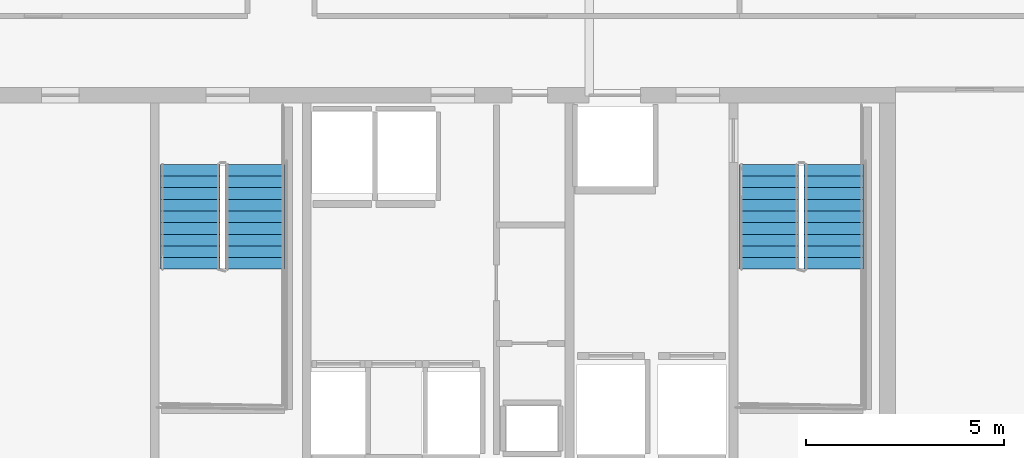
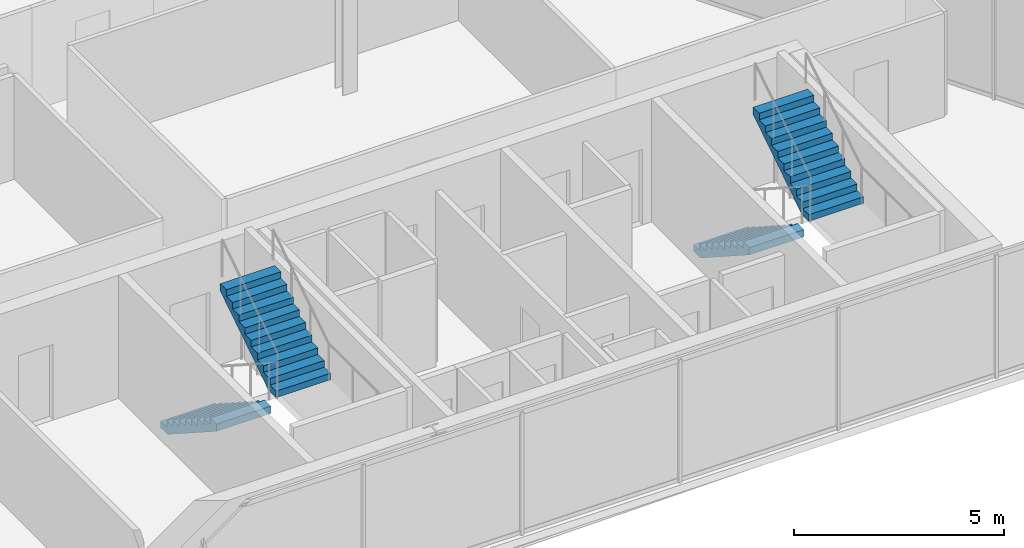
# One storey, part 26 of 29: 4 stair flights, 2 elements without a shape of their own.
"""IFC4 building model written with IfcOpenShell, lengths in metres."""

from ifc_helpers import new_model, si_unit, direction, frame, origin, place, context, subcontext, project, spatial, polyline, outline, extrude, material, type_object, element, aggregate, save


model = new_model("IFC4")

# Units and contexts
model_context = context("Model", 3, precision=1e-05, world=origin(), true_north=direction((0.0, 1.0)))
body_context = subcontext(model_context, "Body", "Model", "MODEL_VIEW")
ifc_project = project(units=[si_unit("LENGTHUNIT", "METRE"), si_unit("AREAUNIT", "SQUARE_METRE"), si_unit("VOLUMEUNIT", "CUBIC_METRE"), si_unit("PLANEANGLEUNIT", "RADIAN"), si_unit("MASSUNIT", "GRAM", prefix="KILO")], contexts=[model_context])

# Site, building, storey
site_placement = place(None, origin())
site = spatial("IfcSite", under=ifc_project, at=site_placement, CompositionType="ELEMENT")
building_placement = place(site_placement, origin())
building = spatial("IfcBuilding", under=site, at=building_placement, Name="Ndaravel Arena Tower", CompositionType="ELEMENT")
storey_placement = place(building_placement, frame((0.0, 0.0, 229.39990234375)))
storey = spatial("IfcBuildingStorey", under=building, at=storey_placement, Name="L55", CompositionType="ELEMENT", Elevation=229.39990234375)

# Stair, stair flights
ifc_material_1 = material(Name="Concrete C40/50", Category="concrete")
stair_type = type_object("IfcStairType", Name="STAIR-CORE-HT", PredefinedType="HALF_TURN_STAIR", material=ifc_material_1)
stair_1_placement = place(storey_placement, origin())
stair_1 = element("IfcStair", 1, at=stair_1_placement, inside=storey, type_object=stair_type, Name="L55 ST-2", PredefinedType="HALF_TURN_STAIR")
ifc_material_2 = material(Name="Concrete C40/50", Category="concrete")
stair_flight_type = type_object("IfcStairFlightType", Name="SFLIGHT-CORE-1680", PredefinedType="STRAIGHT", material=ifc_material_2)
stair_flight_1_placement = place(storey_placement, frame((39.699951171875, 13.25, 0.0), z_axis=(0.0, 0.0, 1.0), x_axis=(0.0, -1.0, 0.0)))
stair_flight_1 = element("IfcStairFlight", 2, at=stair_flight_1_placement, type_object=stair_flight_type, Name="ST-2 flight 1", NumberOfRisers=10, NumberOfTreads=9, PredefinedType="STRAIGHT", RiserHeight=0.19, TreadLength=0.295, context=body_context, shape_type="SweptSolid", body=[
    extrude(outline(polyline([(0.0, 0.0), (0.0, 0.18994140625), (0.294921875, 0.18994140625), (0.294921875, 0.3798828125), (0.590087890625, 0.3798828125), (0.590087890625, 0.570068359375), (0.885009765625, 0.570068359375), (0.885009765625, 0.760009765625), (1.179931640625, 0.760009765625), (1.179931640625, 0.949951171875), (1.47509765625, 0.949951171875), (1.47509765625, 1.139892578125), (1.77001953125, 1.139892578125), (1.77001953125, 1.330078125), (2.06494140625, 1.330078125), (2.06494140625, 1.52001953125), (2.360107421875, 1.52001953125), (2.360107421875, 1.7099609375), (2.655029296875, 1.7099609375), (2.655029296875, 1.89990234375), (2.655029296875, 1.49609375), (0.332275390625, 0.0), (0.0, 0.0)])), frame((0.0, 0.75, 0.0), z_axis=(0.0, -1.0, 0.0), x_axis=(1.0, 0.0, 0.0)), (0.0, 0.0, 1.0), 1.5),
])
stair_flight_2_placement = place(storey_placement, frame((41.340087890625, 10.594970703125, 1.900146484375), z_axis=(0.0, 0.0, 1.0), x_axis=(0.0, 1.0, 0.0)))
stair_flight_2 = element("IfcStairFlight", 3, at=stair_flight_2_placement, type_object=stair_flight_type, Name="ST-2 flight 2", NumberOfRisers=10, NumberOfTreads=9, PredefinedType="STRAIGHT", RiserHeight=0.19, TreadLength=0.295, context=body_context, shape_type="SweptSolid", body=[
    extrude(outline(polyline([(0.0, 0.0), (0.0, 0.18994140625), (0.294921875, 0.18994140625), (0.294921875, 0.3798828125), (0.590087890625, 0.3798828125), (0.590087890625, 0.570068359375), (0.885009765625, 0.570068359375), (0.885009765625, 0.760009765625), (1.179931640625, 0.760009765625), (1.179931640625, 0.949951171875), (1.47509765625, 0.949951171875), (1.47509765625, 1.139892578125), (1.77001953125, 1.139892578125), (1.77001953125, 1.330078125), (2.06494140625, 1.330078125), (2.06494140625, 1.52001953125), (2.360107421875, 1.52001953125), (2.360107421875, 1.7099609375), (2.655029296875, 1.7099609375), (2.655029296875, 1.89990234375), (2.655029296875, 1.49609375), (0.332275390625, 0.0), (0.0, 0.0)])), frame((0.0, 0.75, 0.0), z_axis=(0.0, -1.0, 0.0), x_axis=(1.0, 0.0, 0.0)), (0.0, 0.0, 1.0), 1.5),
])
aggregate(stair_1, [stair_flight_1, stair_flight_2])

stair_2_placement = place(storey_placement, origin())
stair_2 = element("IfcStair", 4, at=stair_2_placement, inside=storey, type_object=stair_type, Name="L55 ST-3", PredefinedType="HALF_TURN_STAIR")
stair_flight_3_placement = place(storey_placement, frame((54.35009765625, 13.25, 0.0), z_axis=(0.0, 0.0, 1.0), x_axis=(0.0, -1.0, 0.0)))
stair_flight_3 = element("IfcStairFlight", 5, at=stair_flight_3_placement, type_object=stair_flight_type, Name="ST-3 flight 1", NumberOfRisers=10, NumberOfTreads=9, PredefinedType="STRAIGHT", RiserHeight=0.19, TreadLength=0.295, context=body_context, shape_type="SweptSolid", body=[
    extrude(outline(polyline([(0.0, 0.0), (0.0, 0.18994140625), (0.294921875, 0.18994140625), (0.294921875, 0.3798828125), (0.590087890625, 0.3798828125), (0.590087890625, 0.570068359375), (0.885009765625, 0.570068359375), (0.885009765625, 0.760009765625), (1.179931640625, 0.760009765625), (1.179931640625, 0.949951171875), (1.47509765625, 0.949951171875), (1.47509765625, 1.139892578125), (1.77001953125, 1.139892578125), (1.77001953125, 1.330078125), (2.06494140625, 1.330078125), (2.06494140625, 1.52001953125), (2.360107421875, 1.52001953125), (2.360107421875, 1.7099609375), (2.655029296875, 1.7099609375), (2.655029296875, 1.89990234375), (2.655029296875, 1.49609375), (0.332275390625, 0.0), (0.0, 0.0)])), frame((0.0, 0.75, 0.0), z_axis=(0.0, -1.0, 0.0), x_axis=(1.0, 0.0, 0.0)), (0.0, 0.0, 1.0), 1.5),
])
stair_flight_4_placement = place(storey_placement, frame((55.989990234375, 10.594970703125, 1.900146484375), z_axis=(0.0, 0.0, 1.0), x_axis=(0.0, 1.0, 0.0)))
stair_flight_4 = element("IfcStairFlight", 6, at=stair_flight_4_placement, type_object=stair_flight_type, Name="ST-3 flight 2", NumberOfRisers=10, NumberOfTreads=9, PredefinedType="STRAIGHT", RiserHeight=0.19, TreadLength=0.295, context=body_context, shape_type="SweptSolid", body=[
    extrude(outline(polyline([(0.0, 0.0), (0.0, 0.18994140625), (0.294921875, 0.18994140625), (0.294921875, 0.3798828125), (0.590087890625, 0.3798828125), (0.590087890625, 0.570068359375), (0.885009765625, 0.570068359375), (0.885009765625, 0.760009765625), (1.179931640625, 0.760009765625), (1.179931640625, 0.949951171875), (1.47509765625, 0.949951171875), (1.47509765625, 1.139892578125), (1.77001953125, 1.139892578125), (1.77001953125, 1.330078125), (2.06494140625, 1.330078125), (2.06494140625, 1.52001953125), (2.360107421875, 1.52001953125), (2.360107421875, 1.7099609375), (2.655029296875, 1.7099609375), (2.655029296875, 1.89990234375), (2.655029296875, 1.49609375), (0.332275390625, 0.0), (0.0, 0.0)])), frame((0.0, 0.75, 0.0), z_axis=(0.0, -1.0, 0.0), x_axis=(1.0, 0.0, 0.0)), (0.0, 0.0, 1.0), 1.5),
])
aggregate(stair_2, [stair_flight_3, stair_flight_4])

save(model, "model.ifc")
